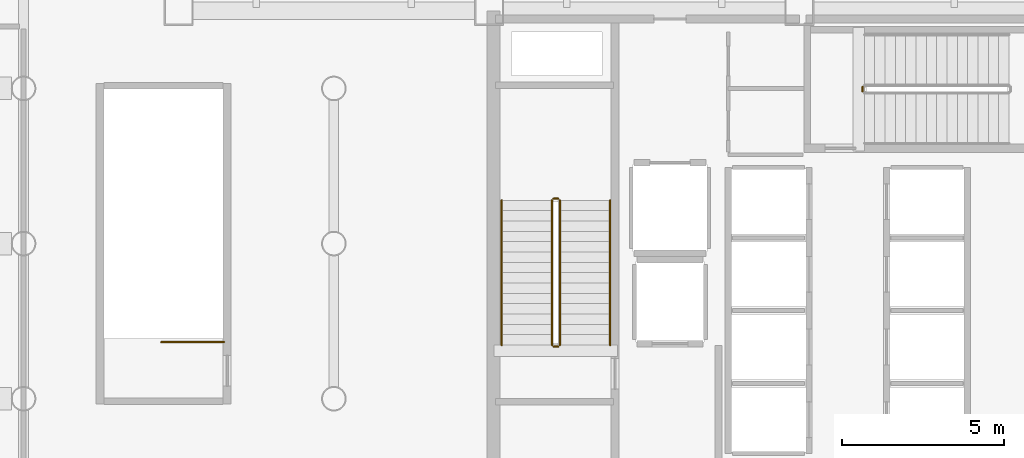
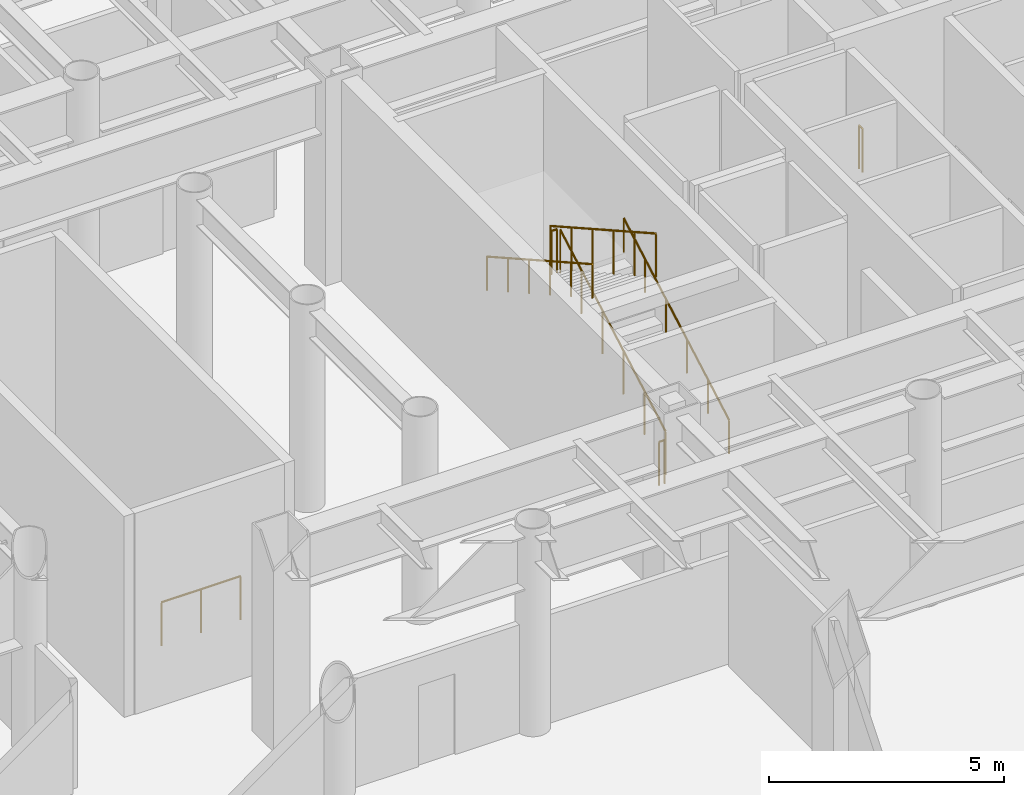
# One storey, part 18 of 20: 8 railings.
"""IFC4 building model written with IfcOpenShell, lengths in metres."""

from ifc_helpers import new_model, si_unit, direction, frame, origin, origin_2d, place, context, subcontext, project, spatial, circle, extrude, material, layer, layer_set, type_object, element, save


model = new_model("IFC4")

# Units and contexts
model_context = context("Model", 3, precision=1e-05, world=origin(), true_north=direction((0.0, 1.0)))
body_context = subcontext(model_context, "Body", "Model", "MODEL_VIEW")
ifc_project = project(units=[si_unit("LENGTHUNIT", "METRE"), si_unit("AREAUNIT", "SQUARE_METRE"), si_unit("VOLUMEUNIT", "CUBIC_METRE"), si_unit("PLANEANGLEUNIT", "RADIAN"), si_unit("MASSUNIT", "GRAM", prefix="KILO")], contexts=[model_context])

# Site, building, storey
site_placement = place(None, origin())
site = spatial("IfcSite", under=ifc_project, at=site_placement, CompositionType="ELEMENT")
building_placement = place(site_placement, origin())
building = spatial("IfcBuilding", under=site, at=building_placement, Name="Kallvorn Hotel Tower", CompositionType="ELEMENT")
storey_placement = place(building_placement, frame((0.0, 0.0, 24.60009765625)))
storey = spatial("IfcBuildingStorey", under=building, at=storey_placement, Name="L04", CompositionType="ELEMENT", Elevation=24.60009765625)

# Railings
ifc_material_1 = material(Name="Brushed stainless-steel tubular railing", Category="steel")
ifc_layer_1 = layer(ifc_material_1, 0.050048828125)
ifc_layer_set_1 = layer_set([ifc_layer_1], Name="RL_STAIR_GUARD")
railing_type_1 = type_object("IfcRailingType", Name="RL_STAIR_GUARD", PredefinedType="GUARDRAIL", material=ifc_layer_set_1)
railing_1_placement = place(storey_placement, frame((-12.2099609375, -3.139892578125, 0.179931640625)))
element("IfcRailing", 1, at=railing_1_placement, inside=storey, type_object=railing_type_1, Name="L04 ST1 stair guard 1", PredefinedType="GUARDRAIL", context=body_context, shape_type="SweptSolid", body=[
    extrude(circle(Radius=0.02392578125, at=origin_2d()), frame((0.0, 0.0, 1.1259765625), z_axis=(0.0, 0.871573000172, 0.490265749743), x_axis=(-1.0, 0.0, 0.0)), (0.0, 0.0, 1.0), 5.14013671875),
    extrude(circle(Radius=0.02099609375, at=origin_2d()), origin(), (0.0, 0.0, 1.0), 1.101806640625),
    extrude(circle(Radius=0.02099609375, at=origin_2d()), frame((0.0, 0.89599609375, 0.50390625)), (0.0, 0.0, 1.0), 1.101806640625),
    extrude(circle(Radius=0.02099609375, at=origin_2d()), frame((0.0, 1.7919921875, 1.008056640625)), (0.0, 0.0, 1.0), 1.101806640625),
    extrude(circle(Radius=0.02099609375, at=origin_2d()), frame((0.0, 2.68798828125, 1.511962890625)), (0.0, 0.0, 1.0), 1.101806640625),
    extrude(circle(Radius=0.02099609375, at=origin_2d()), frame((0.0, 3.583984375, 2.01611328125)), (0.0, 0.0, 1.0), 1.101806640625),
    extrude(circle(Radius=0.02099609375, at=origin_2d()), frame((0.0, 4.47998046875, 2.52001953125)), (0.0, 0.0, 1.0), 1.101806640625),
])
railing_2_placement = place(storey_placement, frame((-12.260009765625, 1.389892578125, 2.699951171875)))
element("IfcRailing", 2, at=railing_2_placement, inside=storey, type_object=railing_type_1, Name="L04 ST1 stair guard 2", PredefinedType="GUARDRAIL", context=body_context, shape_type="SweptSolid", body=[
    extrude(circle(Radius=0.02392578125, at=origin_2d()), frame((0.0, 0.0, 1.1259765625), z_axis=(-1.0, 0.0, 0.0), x_axis=(0.0, -1.0, 0.0)), (0.0, 0.0, 1.0), 0.139892578125),
    extrude(circle(Radius=0.02099609375, at=origin_2d()), origin(), (0.0, 0.0, 1.0), 1.101806640625),
    extrude(circle(Radius=0.02099609375, at=origin_2d()), frame((-0.139892578125, 0.0, 0.0)), (0.0, 0.0, 1.0), 1.101806640625),
])
railing_3_placement = place(storey_placement, frame((-12.449951171875, 1.340087890625, 2.8798828125)))
element("IfcRailing", 3, at=railing_3_placement, inside=storey, type_object=railing_type_1, Name="L04 ST1 stair guard 3", PredefinedType="GUARDRAIL", context=body_context, shape_type="SweptSolid", body=[
    extrude(circle(Radius=0.02392578125, at=origin_2d()), frame((0.0, 0.0, 1.1259765625), z_axis=(0.0, -0.871573000172, 0.490265749743), x_axis=(1.0, 0.0, 0.0)), (0.0, 0.0, 1.0), 5.14013671875),
    extrude(circle(Radius=0.02099609375, at=origin_2d()), origin(), (0.0, 0.0, 1.0), 1.101806640625),
    extrude(circle(Radius=0.02099609375, at=origin_2d()), frame((0.0, -0.89599609375, 0.50390625)), (0.0, 0.0, 1.0), 1.101806640625),
    extrude(circle(Radius=0.02099609375, at=origin_2d()), frame((0.0, -1.7919921875, 1.008056640625)), (0.0, 0.0, 1.0), 1.101806640625),
    extrude(circle(Radius=0.02099609375, at=origin_2d()), frame((0.0, -2.68798828125, 1.511962890625)), (0.0, 0.0, 1.0), 1.101806640625),
    extrude(circle(Radius=0.02099609375, at=origin_2d()), frame((0.0, -3.583984375, 2.01611328125)), (0.0, 0.0, 1.0), 1.101806640625),
    extrude(circle(Radius=0.02099609375, at=origin_2d()), frame((0.0, -4.47998046875, 2.52001953125)), (0.0, 0.0, 1.0), 1.101806640625),
])
railing_4_placement = place(storey_placement, frame((-12.260009765625, -3.18994140625, 0.0)))
element("IfcRailing", 4, at=railing_4_placement, inside=storey, type_object=railing_type_1, Name="L04 ST1 stair guard 4", PredefinedType="GUARDRAIL", context=body_context, shape_type="SweptSolid", body=[
    extrude(circle(Radius=0.02392578125, at=origin_2d()), frame((0.0, 0.0, 1.1259765625), z_axis=(-1.0, 0.0, 0.0), x_axis=(0.0, -1.0, 0.0)), (0.0, 0.0, 1.0), 0.139892578125),
    extrude(circle(Radius=0.02099609375, at=origin_2d()), origin(), (0.0, 0.0, 1.0), 1.101806640625),
    extrude(circle(Radius=0.02099609375, at=origin_2d()), frame((-0.139892578125, 0.0, 0.0)), (0.0, 0.0, 1.0), 1.101806640625),
])
railing_5_placement = place(storey_placement, frame((-2.840087890625, 4.7099609375, 0.0)))
element("IfcRailing", 5, at=railing_5_placement, inside=storey, type_object=railing_type_1, Name="L04 ST3 stair guard 4", PredefinedType="GUARDRAIL", context=body_context, shape_type="SweptSolid", body=[
    extrude(circle(Radius=0.02392578125, at=origin_2d()), frame((0.0, 0.0, 1.1259765625), z_axis=(0.0, 1.0, 0.0), x_axis=(-1.0, 0.0, 0.0)), (0.0, 0.0, 1.0), 0.14013671875),
    extrude(circle(Radius=0.02099609375, at=origin_2d()), origin(), (0.0, 0.0, 1.0), 1.101806640625),
    extrude(circle(Radius=0.02099609375, at=origin_2d()), frame((0.0, 0.14013671875, 0.0)), (0.0, 0.0, 1.0), 1.101806640625),
])
railing_6_placement = place(storey_placement, frame((-22.60009765625, -3.050048828125, 0.0)))
element("IfcRailing", 6, at=railing_6_placement, inside=storey, type_object=railing_type_1, Name="L04 ST4 top well guard 1", PredefinedType="GUARDRAIL", context=body_context, shape_type="SweptSolid", body=[
    extrude(circle(Radius=0.02392578125, at=origin_2d()), frame((0.0, 0.0, 1.1259765625), z_axis=(-1.0, 0.0, 0.0), x_axis=(0.0, -1.0, 0.0)), (0.0, 0.0, 1.0), 1.93994140625),
    extrude(circle(Radius=0.02099609375, at=origin_2d()), origin(), (0.0, 0.0, 1.0), 1.101806640625),
    extrude(circle(Radius=0.02099609375, at=origin_2d()), frame((-0.969970703125, 0.0, 0.0)), (0.0, 0.0, 1.0), 1.101806640625),
    extrude(circle(Radius=0.02099609375, at=origin_2d()), frame((-1.93994140625, 0.0, 0.0)), (0.0, 0.0, 1.0), 1.101806640625),
])
ifc_material_2 = material(Name="Brushed stainless-steel tubular railing", Category="steel")
ifc_layer_2 = layer(ifc_material_2, 0.050048828125)
ifc_layer_set_2 = layer_set([ifc_layer_2], Name="RL_STAIR_HAND")
railing_type_2 = type_object("IfcRailingType", Name="RL_STAIR_HAND", PredefinedType="HANDRAIL", material=ifc_layer_set_2)
railing_7_placement = place(storey_placement, frame((-10.64990234375, -3.139892578125, 0.179931640625)))
element("IfcRailing", 7, at=railing_7_placement, inside=storey, type_object=railing_type_2, Name="L04 ST1 stair handrail 1", PredefinedType="HANDRAIL", context=body_context, shape_type="SweptSolid", body=[
    extrude(circle(Radius=0.02392578125, at=origin_2d()), frame((0.0, 0.0, 0.8759765625), z_axis=(0.0, 0.871573000172, 0.490265749743), x_axis=(-1.0, 0.0, 0.0)), (0.0, 0.0, 1.0), 5.14013671875),
    extrude(circle(Radius=0.02099609375, at=origin_2d()), origin(), (0.0, 0.0, 1.0), 0.851806640625),
    extrude(circle(Radius=0.02099609375, at=origin_2d()), frame((0.0, 0.89599609375, 0.50390625)), (0.0, 0.0, 1.0), 0.851806640625),
    extrude(circle(Radius=0.02099609375, at=origin_2d()), frame((0.0, 1.7919921875, 1.008056640625)), (0.0, 0.0, 1.0), 0.851806640625),
    extrude(circle(Radius=0.02099609375, at=origin_2d()), frame((0.0, 2.68798828125, 1.511962890625)), (0.0, 0.0, 1.0), 0.851806640625),
    extrude(circle(Radius=0.02099609375, at=origin_2d()), frame((0.0, 3.583984375, 2.01611328125)), (0.0, 0.0, 1.0), 0.851806640625),
    extrude(circle(Radius=0.02099609375, at=origin_2d()), frame((0.0, 4.47998046875, 2.52001953125)), (0.0, 0.0, 1.0), 0.851806640625),
])
railing_8_placement = place(storey_placement, frame((-14.010009765625, 1.340087890625, 2.8798828125)))
element("IfcRailing", 8, at=railing_8_placement, inside=storey, type_object=railing_type_2, Name="L04 ST1 stair handrail 2", PredefinedType="HANDRAIL", context=body_context, shape_type="SweptSolid", body=[
    extrude(circle(Radius=0.02392578125, at=origin_2d()), frame((0.0, 0.0, 0.8759765625), z_axis=(0.0, -0.871573000172, 0.490265749743), x_axis=(1.0, 0.0, 0.0)), (0.0, 0.0, 1.0), 5.14013671875),
    extrude(circle(Radius=0.02099609375, at=origin_2d()), origin(), (0.0, 0.0, 1.0), 0.851806640625),
    extrude(circle(Radius=0.02099609375, at=origin_2d()), frame((0.0, -0.89599609375, 0.50390625)), (0.0, 0.0, 1.0), 0.851806640625),
    extrude(circle(Radius=0.02099609375, at=origin_2d()), frame((0.0, -1.7919921875, 1.008056640625)), (0.0, 0.0, 1.0), 0.851806640625),
    extrude(circle(Radius=0.02099609375, at=origin_2d()), frame((0.0, -2.68798828125, 1.511962890625)), (0.0, 0.0, 1.0), 0.851806640625),
    extrude(circle(Radius=0.02099609375, at=origin_2d()), frame((0.0, -3.583984375, 2.01611328125)), (0.0, 0.0, 1.0), 0.851806640625),
    extrude(circle(Radius=0.02099609375, at=origin_2d()), frame((0.0, -4.47998046875, 2.52001953125)), (0.0, 0.0, 1.0), 0.851806640625),
])

save(model, "model.ifc")
